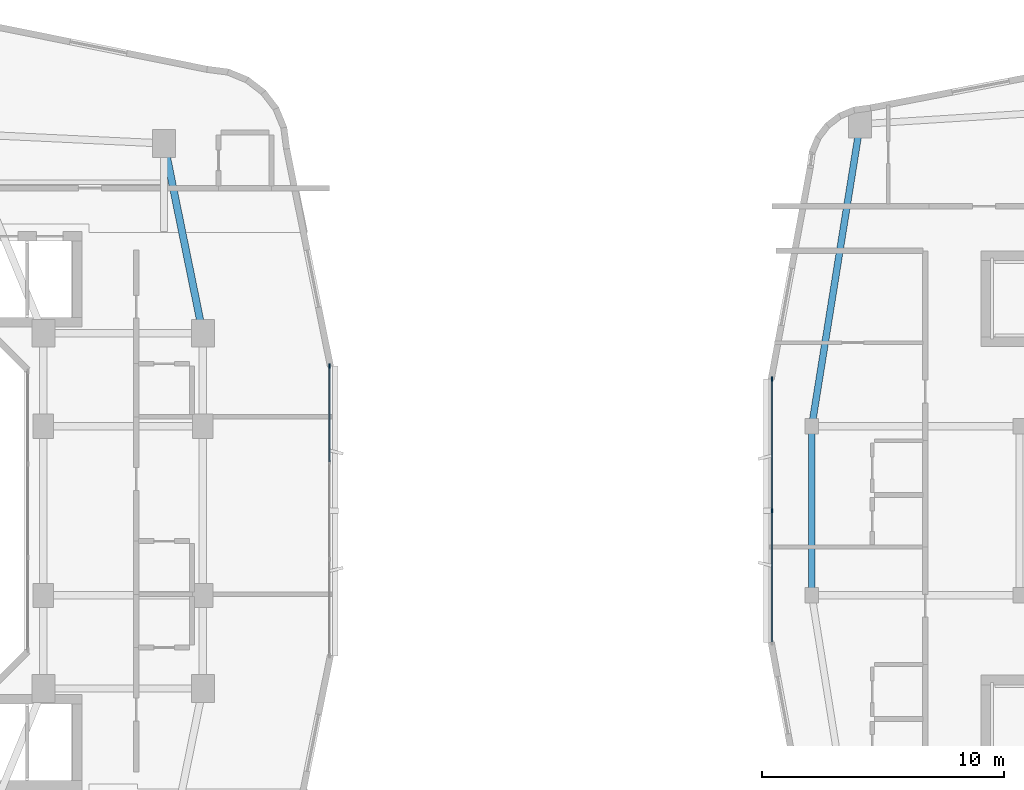
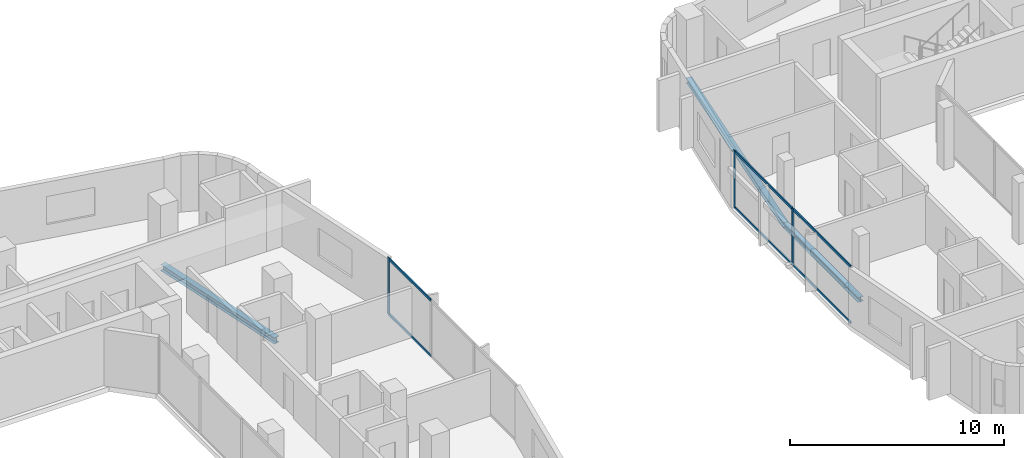
# One storey, part 6 of 26: 9 members, 3 beams, 2 elements without a shape of their own.
"""IFC4 building model written with IfcOpenShell, lengths in metres."""

from ifc_helpers import new_model, si_unit, derived_unit, direction, frame, origin, origin_2d, place, context, subcontext, project, spatial, rectangle, i_section, extrude, material, layer, layer_set, material_profile, profile_set, type_object, element, aggregate, save


model = new_model("IFC4")

# Units and contexts
model_context = context("Model", 3, precision=1e-05, world=origin(), true_north=direction((0.0, 1.0)))
body_context = subcontext(model_context, "Body", "Model", "MODEL_VIEW")
ifc_project = project(units=[si_unit("LENGTHUNIT", "METRE"), si_unit("AREAUNIT", "SQUARE_METRE"), si_unit("VOLUMEUNIT", "CUBIC_METRE"), si_unit("PLANEANGLEUNIT", "RADIAN"), si_unit("MASSUNIT", "GRAM", prefix="KILO"), derived_unit("THERMALTRANSMITTANCEUNIT", [(si_unit("POWERUNIT", "WATT"), 1), (si_unit("LENGTHUNIT", "METRE"), -2), (si_unit("THERMODYNAMICTEMPERATUREUNIT", "KELVIN"), -1)])], contexts=[model_context])

# Site, building, storey
site_placement = place(None, origin())
site = spatial("IfcSite", under=ifc_project, at=site_placement, CompositionType="ELEMENT")
building_placement = place(site_placement, origin())
building = spatial("IfcBuilding", under=site, at=building_placement, Name="Kivonza Crest Hotel", CompositionType="ELEMENT")
storey_placement = place(building_placement, frame((0.0, 0.0, 109.0)))
storey = spatial("IfcBuildingStorey", under=building, at=storey_placement, Name="L29", CompositionType="ELEMENT", Elevation=109.0)

# Beams
ifc_material_1 = material(Name="Steel S355", Category="steel")
ifc_material_profile_1 = material_profile(ifc_material_1, i_section(OverallWidth=0.280029296875, OverallDepth=0.280029296875, WebThickness=0.010498046875, FlangeThickness=0.01806640625, FilletRadius=0.02392578125, at=origin_2d()), Name="HEB 280")
ifc_profile_set_1 = profile_set([ifc_material_profile_1], Name="Steel S355")
beam_type_1 = type_object("IfcBeamType", Name="BM-HEB280", PredefinedType="SPANDREL", material=ifc_profile_set_1)
beam_1_placement = place(storey_placement, frame((63.0, 41.0, -0.389892578125), z_axis=(-0.157990501107, -0.987440631917, 0.0), x_axis=(0.987440631917, -0.157990501107, 0.0)))
element("IfcBeam", 1, at=beam_1_placement, inside=storey, type_object=beam_type_1, Name="Companion Tower T2 L29 perimeter spandrel NW-W2", PredefinedType="SPANDREL", context=body_context, shape_type="SweptSolid", body=[
    extrude(i_section(OverallWidth=0.280029296875, OverallDepth=0.280029296875, WebThickness=0.010498046875, FlangeThickness=0.01806640625, FilletRadius=0.02392578125, at=origin_2d()), origin(), (0.0, 0.0, 1.0), 12.658935546875),
])
beam_2_placement = place(storey_placement, frame((61.0, 28.5, -0.389892578125), z_axis=(0.0, -1.0, 0.0), x_axis=(1.0, 0.0, 0.0)))
element("IfcBeam", 2, at=beam_2_placement, inside=storey, type_object=beam_type_1, Name="Companion Tower T2 L29 perimeter spandrel W2-W1", PredefinedType="SPANDREL", context=body_context, shape_type="SweptSolid", body=[
    extrude(i_section(OverallWidth=0.280029296875, OverallDepth=0.280029296875, WebThickness=0.010498046875, FlangeThickness=0.01806640625, FilletRadius=0.02392578125, at=origin_2d()), origin(), (0.0, 0.0, 1.0), 7.0),
])
ifc_material_profile_2 = material_profile(ifc_material_1, i_section(OverallWidth=0.300048828125, OverallDepth=0.360107421875, WebThickness=0.012451171875, FlangeThickness=0.0224609375, FilletRadius=0.027099609375, at=origin_2d()), Name="HEB 360")
ifc_profile_set_2 = profile_set([ifc_material_profile_2], Name="Steel S355")
beam_type_2 = type_object("IfcBeamType", Name="BM-HEB360", PredefinedType="SPANDREL", material=ifc_profile_set_2)
beam_3_placement = place(storey_placement, frame((35.800048828125, 32.35009765625, -0.4599609375), z_axis=(-0.199730733965, 0.979850822273, 0.0), x_axis=(-0.979850822273, -0.199730733965, 0.0)))
element("IfcBeam", 3, at=beam_3_placement, inside=storey, type_object=beam_type_2, Name="Tower T1 L29 perimeter spandrel PNE-NE", PredefinedType="SPANDREL", context=body_context, shape_type="SweptSolid", body=[
    extrude(i_section(OverallWidth=0.300048828125, OverallDepth=0.360107421875, WebThickness=0.012451171875, FlangeThickness=0.0224609375, FilletRadius=0.027099609375, at=origin_2d()), origin(), (0.0, 0.0, 1.0), 8.01123046875),
])

# Curtain wall, member
ifc_material_2 = material(Name="Anodised bronze aluminium and low-E double glazing", Category="aluminium")
ifc_layer_1 = layer(ifc_material_2, 0.179931640625)
ifc_layer_set_1 = layer_set([ifc_layer_1], Name="Anodised bronze aluminium and low-E double glazing")
curtain_wall_type_1 = type_object("IfcCurtainWallType", Name="CW-SYS-2", PredefinedType="NOTDEFINED", material=ifc_layer_set_1)
curtain_wall_1_placement = place(storey_placement, origin())
curtain_wall_1 = element("IfcCurtainWall", 4, at=curtain_wall_1_placement, inside=storey, type_object=curtain_wall_type_1, Name="L29 unitised curtain wall CW-T1-L29-17", PredefinedType="NOTDEFINED")
ifc_material_3 = material(Name="Anodised bronze aluminium", Category="aluminium")
ifc_material_profile_3 = material_profile(ifc_material_3, rectangle(XDim=0.06494140625, YDim=0.179931640625, at=origin_2d()), Name="CW-M 65x180")
ifc_profile_set_3 = profile_set([ifc_material_profile_3], Name="Anodised bronze aluminium")
member_type_1 = type_object("IfcMemberType", Name="CW-MUL-65x180", PredefinedType="MULLION", material=ifc_profile_set_3)
member_1_placement = place(storey_placement, frame((41.0400390625, 30.987548828125, 0.0), z_axis=(0.0, 0.0, 1.0), x_axis=(-1.0, 0.0, 0.0)))
member_1 = element("IfcMember", 5, at=member_1_placement, type_object=member_type_1, Name="CW-2 mullion 4", PredefinedType="MULLION", context=body_context, shape_type="SweptSolid", body=[
    extrude(rectangle(XDim=0.06494140625, YDim=0.179931640625, at=origin_2d()), origin(), (0.0, 0.0, 1.0), 3.219970703125),
])

# Curtain wall, members
ifc_layer_2 = layer(ifc_material_2, 0.179931640625)
ifc_layer_set_2 = layer_set([ifc_layer_2], Name="Anodised bronze aluminium and low-E double glazing")
curtain_wall_type_2 = type_object("IfcCurtainWallType", Name="CW-SYS-4", PredefinedType="NOTDEFINED", material=ifc_layer_set_2)
curtain_wall_2_placement = place(storey_placement, origin())
curtain_wall_2 = element("IfcCurtainWall", 6, at=curtain_wall_2_placement, inside=storey, type_object=curtain_wall_type_2, Name="L29 unitised curtain wall CW-T2-L29-35", PredefinedType="NOTDEFINED")
member_2_placement = place(storey_placement, frame((59.360107421875, 30.447509765625, 0.0), z_axis=(0.0, 0.0, 1.0), x_axis=(1.0, 0.0, 0.0)))
member_2 = element("IfcMember", 7, at=member_2_placement, type_object=member_type_1, Name="CW-4 mullion 1", PredefinedType="MULLION", context=body_context, shape_type="SweptSolid", body=[
    extrude(rectangle(XDim=0.06494140625, YDim=0.179931640625, at=origin_2d()), origin(), (0.0, 0.0, 1.0), 3.25),
])
member_3_placement = place(storey_placement, frame((59.360107421875, 25.0, 0.0), z_axis=(0.0, 0.0, 1.0), x_axis=(1.0, 0.0, 0.0)))
member_3 = element("IfcMember", 8, at=member_3_placement, type_object=member_type_1, Name="CW-4 mullion 2", PredefinedType="MULLION", context=body_context, shape_type="SweptSolid", body=[
    extrude(rectangle(XDim=0.06494140625, YDim=0.179931640625, at=origin_2d()), origin(), (0.0, 0.0, 1.0), 3.25),
])

# Member
ifc_material_profile_4 = material_profile(ifc_material_3, rectangle(XDim=0.06494140625, YDim=0.139892578125, at=origin_2d()), Name="CW-T 65x140")
ifc_profile_set_4 = profile_set([ifc_material_profile_4], Name="Anodised bronze aluminium")
member_type_2 = type_object("IfcMemberType", Name="CW-TRN-65x140", PredefinedType="USERDEFINED", material=ifc_profile_set_4)
member_4_placement = place(storey_placement, frame((41.0400390625, 27.0390625, 0.032470703125), z_axis=(0.0, 1.0, 0.0), x_axis=(-1.0, 0.0, 0.0)))
member_4 = element("IfcMember", 9, at=member_4_placement, type_object=member_type_2, Name="CW-2 transom 3.1", ObjectType="TRANSOM", PredefinedType="USERDEFINED", context=body_context, shape_type="SweptSolid", body=[
    extrude(rectangle(XDim=0.06494140625, YDim=0.139892578125, at=origin_2d()), origin(), (0.0, 0.0, 1.0), 3.916015625),
])

member_5_placement = place(storey_placement, frame((41.0400390625, 27.0390625, 3.1875), z_axis=(0.0, 1.0, 0.0), x_axis=(-1.0, 0.0, 0.0)))
member_5 = element("IfcMember", 10, at=member_5_placement, type_object=member_type_2, Name="CW-2 transom 3.2", ObjectType="TRANSOM", PredefinedType="USERDEFINED", context=body_context, shape_type="SweptSolid", body=[
    extrude(rectangle(XDim=0.06494140625, YDim=0.139892578125, at=origin_2d()), origin(), (0.0, 0.0, 1.0), 3.916015625),
])

aggregate(curtain_wall_1, [member_1, member_4, member_5])

member_6_placement = place(storey_placement, frame((59.360107421875, 30.4150390625, 0.032470703125), z_axis=(0.0, -1.0, 0.0), x_axis=(1.0, 0.0, 0.0)))
member_6 = element("IfcMember", 11, at=member_6_placement, type_object=member_type_2, Name="CW-4 transom 1.1", ObjectType="TRANSOM", PredefinedType="USERDEFINED", context=body_context, shape_type="SweptSolid", body=[
    extrude(rectangle(XDim=0.06494140625, YDim=0.139892578125, at=origin_2d()), origin(), (0.0, 0.0, 1.0), 5.382568359375),
])

member_7_placement = place(storey_placement, frame((59.360107421875, 30.4150390625, 3.217529296875), z_axis=(0.0, -1.0, 0.0), x_axis=(1.0, 0.0, 0.0)))
member_7 = element("IfcMember", 12, at=member_7_placement, type_object=member_type_2, Name="CW-4 transom 1.2", ObjectType="TRANSOM", PredefinedType="USERDEFINED", context=body_context, shape_type="SweptSolid", body=[
    extrude(rectangle(XDim=0.06494140625, YDim=0.139892578125, at=origin_2d()), origin(), (0.0, 0.0, 1.0), 5.382568359375),
])

member_8_placement = place(storey_placement, frame((59.360107421875, 24.967529296875, 0.032470703125), z_axis=(0.0, -1.0, 0.0), x_axis=(1.0, 0.0, 0.0)))
member_8 = element("IfcMember", 13, at=member_8_placement, type_object=member_type_2, Name="CW-4 transom 2.1", ObjectType="TRANSOM", PredefinedType="USERDEFINED", context=body_context, shape_type="SweptSolid", body=[
    extrude(rectangle(XDim=0.06494140625, YDim=0.139892578125, at=origin_2d()), origin(), (0.0, 0.0, 1.0), 5.382568359375),
])

member_9_placement = place(storey_placement, frame((59.360107421875, 24.967529296875, 3.217529296875), z_axis=(0.0, -1.0, 0.0), x_axis=(1.0, 0.0, 0.0)))
member_9 = element("IfcMember", 14, at=member_9_placement, type_object=member_type_2, Name="CW-4 transom 2.2", ObjectType="TRANSOM", PredefinedType="USERDEFINED", context=body_context, shape_type="SweptSolid", body=[
    extrude(rectangle(XDim=0.06494140625, YDim=0.139892578125, at=origin_2d()), origin(), (0.0, 0.0, 1.0), 5.382568359375),
])

aggregate(curtain_wall_2, [member_2, member_3, member_6, member_7, member_8, member_9])

save(model, "model.ifc")
